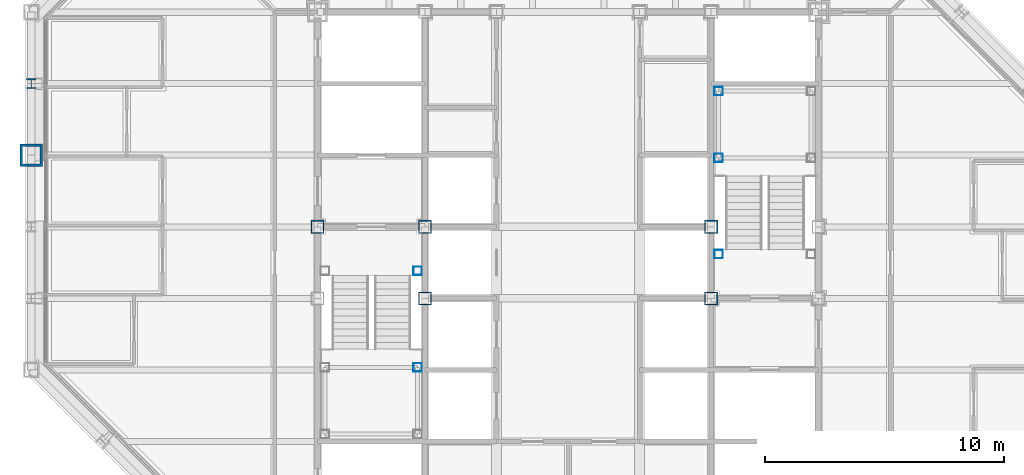
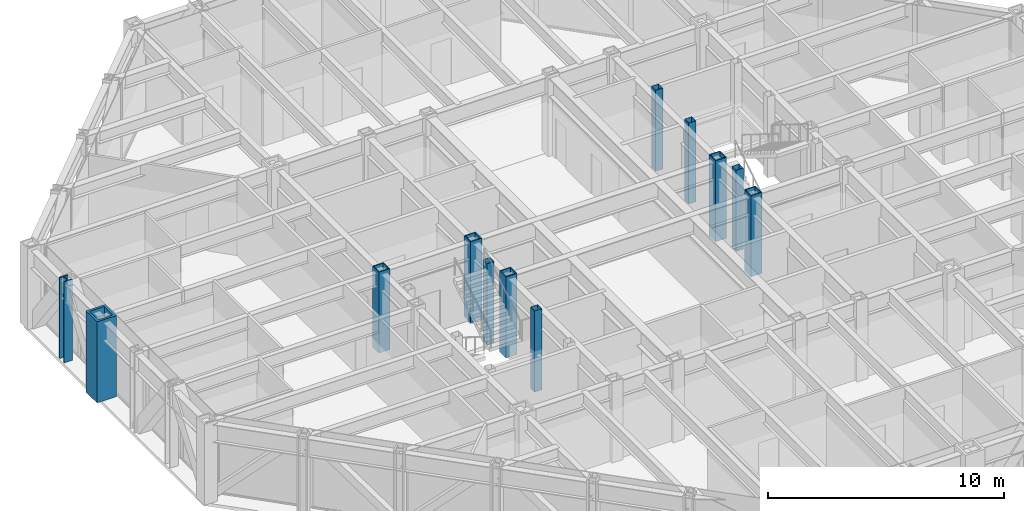
# One storey, part 2 of 16: 12 columns.
"""IFC4 building model written with IfcOpenShell, lengths in metres."""

from ifc_helpers import new_model, si_unit, direction, frame, origin, origin_2d, place, context, subcontext, project, spatial, hollow_rectangle, i_section, extrude, material, material_profile, profile_set, type_object, element, save


model = new_model("IFC4")

# Units and contexts
model_context = context("Model", 3, precision=1e-05, world=origin(), true_north=direction((0.0, 1.0)))
body_context = subcontext(model_context, "Body", "Model", "MODEL_VIEW")
ifc_project = project(units=[si_unit("LENGTHUNIT", "METRE"), si_unit("AREAUNIT", "SQUARE_METRE"), si_unit("VOLUMEUNIT", "CUBIC_METRE"), si_unit("PLANEANGLEUNIT", "RADIAN"), si_unit("MASSUNIT", "GRAM", prefix="KILO")], contexts=[model_context])

# Site, building, storey
site_placement = place(None, origin())
site = spatial("IfcSite", under=ifc_project, at=site_placement, CompositionType="ELEMENT")
building_placement = place(site_placement, origin())
building = spatial("IfcBuilding", under=site, at=building_placement, Name="Chuquiago Exchange Tower", CompositionType="ELEMENT")
storey_placement = place(building_placement, frame((0.0, 0.0, 218.10009765625)))
storey = spatial("IfcBuildingStorey", under=building, at=storey_placement, Name="L48", CompositionType="ELEMENT", Elevation=218.10009765625)

# Columns
ifc_material_1 = material(Name="Steel ASTM A992", Category="steel")
ifc_material_profile_1 = material_profile(ifc_material_1, i_section(OverallWidth=0.408935546875, OverallDepth=0.424072265625, WebThickness=0.03271484375, FlangeThickness=0.052490234375, at=origin_2d()), Name="W14X283")
ifc_profile_set_1 = profile_set([ifc_material_profile_1], Name="Steel ASTM A992")
column_type_1 = type_object("IfcColumnType", Name="C8 W14X283", PredefinedType="COLUMN", material=ifc_profile_set_1)
column_1_placement = place(storey_placement, frame((0.0, 30.0, 0.0), z_axis=(0.0, 0.0, 1.0), x_axis=(-1.0, 0.0, 0.0)))
element("IfcColumn", 1, at=column_1_placement, inside=storey, type_object=column_type_1, Name="COL-L48-0_30", PredefinedType="COLUMN", context=body_context, shape_type="SweptSolid", body=[
    extrude(i_section(OverallWidth=0.408935546875, OverallDepth=0.424072265625, WebThickness=0.03271484375, FlangeThickness=0.052490234375, at=origin_2d()), origin(), (0.0, 0.0, 1.0), 4.199951171875),
])
ifc_material_2 = material(Name="Steel ASTM A572 Grade 50", Category="steel")
ifc_material_profile_2 = material_profile(ifc_material_2, hollow_rectangle(XDim=0.550048828125, YDim=0.550048828125, WallThickness=0.044921875, at=origin_2d()), Name="BOX550X550X45")
ifc_profile_set_2 = profile_set([ifc_material_profile_2], Name="Steel ASTM A572 Grade 50")
column_type_2 = type_object("IfcColumnType", Name="CC8 BOX550X550X45", PredefinedType="COLUMN", material=ifc_profile_set_2)
for number, where, z_axis, x_axis, name in (
    (2, (12.0, 24.0, 0.0), (0.0, 0.0, 1.0), (1.0, 0.0, 0.0), "CCOL-L48-12_24"),
    (3, (16.5, 21.0, 0.0), (0.0, 0.0, 1.0), (1.0, 0.0, 0.0), "CCOL-L48-16.5_21"),
    (4, (16.5, 24.0, 0.0), (0.0, 0.0, 1.0), (1.0, 0.0, 0.0), "CCOL-L48-16.5_24"),
    (5, (28.5, 21.0, 0.0), (0.0, 0.0, 1.0), (1.0, 0.0, 0.0), "CCOL-L48-28.5_21"),
    (6, (28.5, 24.0, 0.0), (0.0, 0.0, 1.0), (1.0, 0.0, 0.0), "CCOL-L48-28.5_24"),
):
    element("IfcColumn", number, at=place(storey_placement, frame(where, z_axis=z_axis, x_axis=x_axis)), inside=storey, type_object=column_type_2, Name=name, PredefinedType="COLUMN", context=body_context, shape_type="SweptSolid", body=[
        extrude(hollow_rectangle(XDim=0.550048828125, YDim=0.550048828125, WallThickness=0.044921875, at=origin_2d()), origin(), (0.0, 0.0, 1.0), 4.199951171875),
    ])
ifc_material_3 = material(Name="Steel ASTM A572 Grade 42", Category="steel")
ifc_material_profile_3 = material_profile(ifc_material_3, hollow_rectangle(XDim=0.949951171875, YDim=0.949951171875, WallThickness=0.110107421875, at=origin_2d()), Name="BOX950X950X110")
ifc_profile_set_3 = profile_set([ifc_material_profile_3], Name="Steel ASTM A572 Grade 42")
column_type_3 = type_object("IfcColumnType", Name="CT1 BOX950X950X110", PredefinedType="COLUMN", material=ifc_profile_set_3)
column_2_placement = place(storey_placement, frame((0.0, 27.0, 0.0), z_axis=(0.0, 0.0, 1.0), x_axis=(-1.0, 0.0, 0.0)))
element("IfcColumn", 7, at=column_2_placement, inside=storey, type_object=column_type_3, Name="COL-L48-0_27", PredefinedType="COLUMN", context=body_context, shape_type="SweptSolid", body=[
    extrude(hollow_rectangle(XDim=0.949951171875, YDim=0.949951171875, WallThickness=0.110107421875, at=origin_2d()), origin(), (0.0, 0.0, 1.0), 4.199951171875),
])
ifc_material_4 = material(Name="Steel ASTM A500 Grade C", Category="steel")
ifc_material_profile_4 = material_profile(ifc_material_4, hollow_rectangle(XDim=0.355712890625, YDim=0.355712890625, WallThickness=0.0087890625, at=origin_2d()), Name="HSS14X14X3/8")
ifc_profile_set_4 = profile_set([ifc_material_profile_4], Name="Steel ASTM A500 Grade C")
column_type_4 = type_object("IfcColumnType", Name="PT1 HSS14X14X3/8", PredefinedType="COLUMN", material=ifc_profile_set_4)
for number, where, z_axis, x_axis, name in (
    (8, (16.18994140625, 18.110107421875, 0.0), (0.0, 0.0, 1.0), (1.0, 0.0, 0.0), "Stair ST1 L48 landing post"),
    (9, (16.18994140625, 22.14990234375, 0.0), (0.0, 0.0, 1.0), (1.0, 0.0, 0.0), "Stair ST1 L48 landing post"),
    (10, (28.81005859375, 29.68994140625, 0.0), (0.0, 0.0, 1.0), (1.0, 0.0, 0.0), "Stair ST2 L48 landing post"),
    (11, (28.81005859375, 26.889892578125, 0.0), (0.0, 0.0, 1.0), (1.0, 0.0, 0.0), "Stair ST2 L48 landing post"),
    (12, (28.81005859375, 22.85009765625, 0.0), (0.0, 0.0, 1.0), (1.0, 0.0, 0.0), "Stair ST2 L48 landing post"),
):
    element("IfcColumn", number, at=place(storey_placement, frame(where, z_axis=z_axis, x_axis=x_axis)), inside=storey, type_object=column_type_4, Name=name, PredefinedType="COLUMN", context=body_context, shape_type="SweptSolid", body=[
        extrude(hollow_rectangle(XDim=0.355712890625, YDim=0.355712890625, WallThickness=0.0087890625, at=origin_2d()), origin(), (0.0, 0.0, 1.0), 4.199951171875),
    ])

save(model, "model.ifc")
